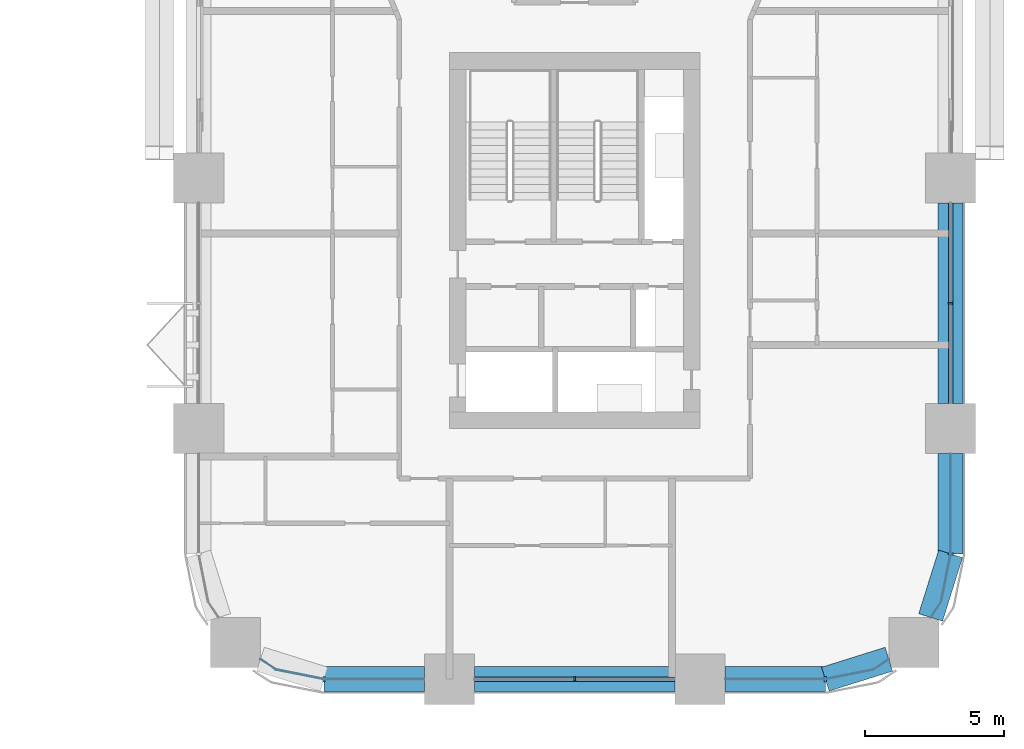
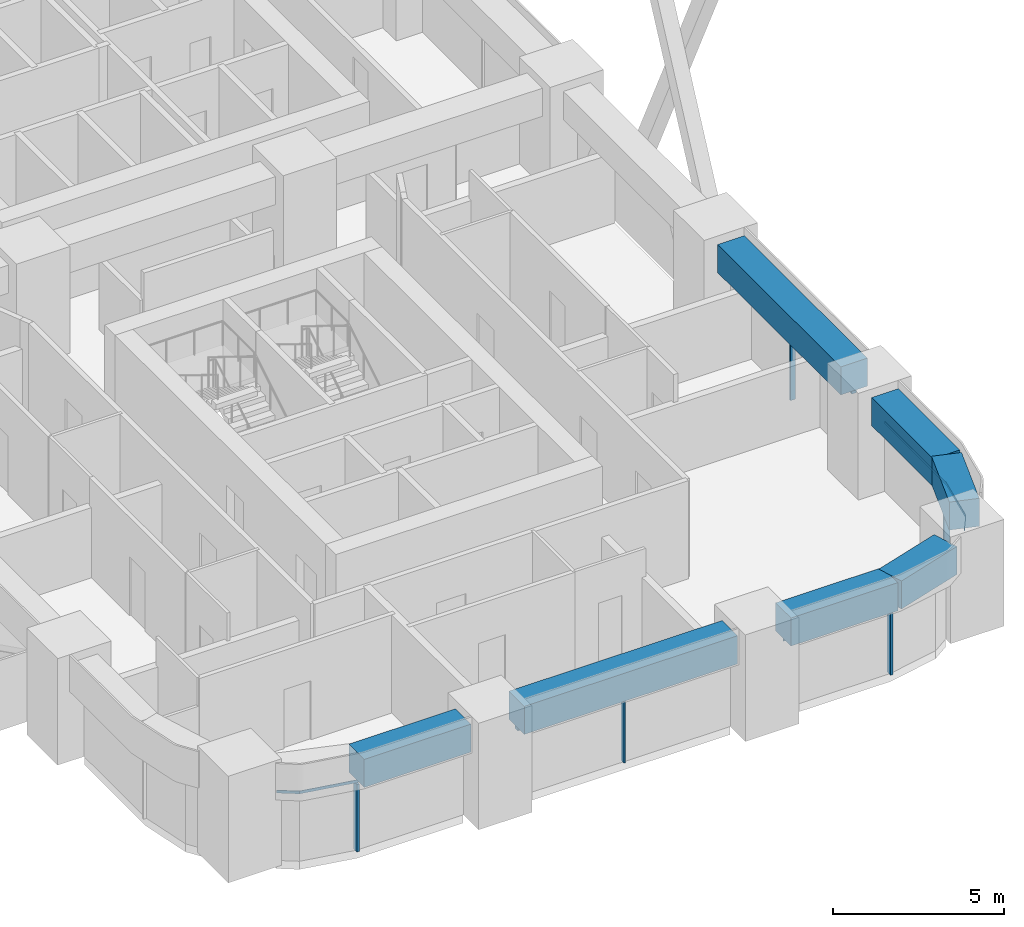
# One storey, part 4 of 19: 10 members, 7 beams, 5 elements without a shape of their own.
"""IFC4 building model written with IfcOpenShell, lengths in metres."""

from ifc_helpers import new_model, si_unit, direction, frame, origin, origin_2d, place, context, subcontext, project, spatial, polyline, rectangle, outline, extrude, material, material_profile, profile_set, type_object, element, aggregate, save


model = new_model("IFC4")

# Units and contexts
model_context = context("Model", 3, precision=1e-05, world=origin(), true_north=direction((0.0, 1.0)))
body_context = subcontext(model_context, "Body", "Model", "MODEL_VIEW")
ifc_project = project(units=[si_unit("LENGTHUNIT", "METRE"), si_unit("AREAUNIT", "SQUARE_METRE"), si_unit("VOLUMEUNIT", "CUBIC_METRE"), si_unit("PLANEANGLEUNIT", "RADIAN"), si_unit("MASSUNIT", "GRAM", prefix="KILO")], contexts=[model_context])

# Site, building, storey
site_placement = place(None, origin())
site = spatial("IfcSite", under=ifc_project, at=site_placement, CompositionType="ELEMENT")
building_placement = place(site_placement, origin())
building = spatial("IfcBuilding", under=site, at=building_placement, Name="Tessera Arch", CompositionType="ELEMENT")
storey_placement = place(building_placement, frame((0.0, 0.0, 108.199951171875)))
storey = spatial("IfcBuildingStorey", under=building, at=storey_placement, Name="L25", CompositionType="ELEMENT", Elevation=108.199951171875)

# Curtain wall, member
ifc_material_1 = material(Name="CW1 curtain wall")
curtain_wall_type_1 = type_object("IfcCurtainWallType", Name="CW1 curtain wall", PredefinedType="NOTDEFINED", material=ifc_material_1)
curtain_wall_1_placement = place(storey_placement, origin())
curtain_wall_1 = element("IfcCurtainWall", 1, at=curtain_wall_1_placement, inside=storey, type_object=curtain_wall_type_1, Name="CW1 curtain wall S0.27/1 L25", PredefinedType="NOTDEFINED")
ifc_material_2 = material(Name="Anodised aluminium pale metal", Category="aluminium")
ifc_material_profile_1 = material_profile(ifc_material_2, rectangle(XDim=0.159912109375, YDim=0.06005859375, at=origin_2d()), Name="AL 60x160")
ifc_profile_set_1 = profile_set([ifc_material_profile_1], Name="Anodised aluminium pale metal")
member_type_1 = type_object("IfcMemberType", Name="CW1 mullion", PredefinedType="MULLION", material=ifc_profile_set_1)
member_1_placement = place(storey_placement, frame((40.5, 0.0, 0.0), z_axis=(0.0, 0.0, 1.0), x_axis=(0.0, 1.0, 0.0)))
member_1 = element("IfcMember", 2, at=member_1_placement, type_object=member_type_1, Name="CW1 mullion S0.27/1 1", PredefinedType="MULLION", context=body_context, shape_type="SweptSolid", body=[
    extrude(rectangle(XDim=0.159912109375, YDim=0.06005859375, at=origin_2d()), origin(), (0.0, 0.0, 1.0), 2.400146484375),
])

curtain_wall_2_placement = place(storey_placement, origin())
curtain_wall_2 = element("IfcCurtainWall", 3, at=curtain_wall_2_placement, inside=storey, type_object=curtain_wall_type_1, Name="CW1 curtain wall E54.0/1 L25", PredefinedType="NOTDEFINED")
member_2_placement = place(storey_placement, frame((54.0, 13.5, 0.0), z_axis=(0.0, 0.0, 1.0), x_axis=(-1.0, 0.0, 0.0)))
member_2 = element("IfcMember", 4, at=member_2_placement, type_object=member_type_1, Name="CW1 mullion E54.0/1 1", PredefinedType="MULLION", context=body_context, shape_type="SweptSolid", body=[
    extrude(rectangle(XDim=0.159912109375, YDim=0.06005859375, at=origin_2d()), origin(), (0.0, 0.0, 1.0), 2.400146484375),
])

# Member
ifc_material_3 = material(Name="Anodised aluminium pale metal", Category="aluminium")
ifc_material_profile_2 = material_profile(ifc_material_3, rectangle(XDim=0.159912109375, YDim=0.10009765625, at=origin_2d()), Name="AL 160x100")
ifc_profile_set_2 = profile_set([ifc_material_profile_2], Name="Anodised aluminium pale metal")
member_type_2 = type_object("IfcMemberType", Name="CW1 transom", PredefinedType="USERDEFINED", material=ifc_profile_set_2)
member_3_placement = place(storey_placement, frame((36.89990234375, 0.0, 2.449951171875), z_axis=(1.0, 0.0, 0.0), x_axis=(0.0, 1.0, 0.0)))
member_3 = element("IfcMember", 5, at=member_3_placement, type_object=member_type_2, Name="CW1 transom S0.27/1 1.1", ObjectType="TRANSOM", PredefinedType="USERDEFINED", context=body_context, shape_type="SweptSolid", body=[
    extrude(rectangle(XDim=0.159912109375, YDim=0.10009765625, at=origin_2d()), origin(), (0.0, 0.0, 1.0), 7.2001953125),
])

aggregate(curtain_wall_1, [member_1, member_3])

member_4_placement = place(storey_placement, frame((54.0, 9.89990234375, 2.449951171875), z_axis=(0.0, 1.0, 0.0), x_axis=(-1.0, 0.0, 0.0)))
member_4 = element("IfcMember", 6, at=member_4_placement, type_object=member_type_2, Name="CW1 transom E54.0/1 1.1", ObjectType="TRANSOM", PredefinedType="USERDEFINED", context=body_context, shape_type="SweptSolid", body=[
    extrude(rectangle(XDim=0.159912109375, YDim=0.10009765625, at=origin_2d()), origin(), (0.0, 0.0, 1.0), 7.2001953125),
])

aggregate(curtain_wall_2, [member_2, member_4])

# Curtain wall, member
ifc_material_4 = material(Name="CW2 curtain wall")
curtain_wall_type_2 = type_object("IfcCurtainWallType", Name="CW2 curtain wall", PredefinedType="NOTDEFINED", material=ifc_material_4)
curtain_wall_3_placement = place(storey_placement, origin())
curtain_wall_3 = element("IfcCurtainWall", 7, at=curtain_wall_3_placement, inside=storey, type_object=curtain_wall_type_2, Name="CW2 curtain wall S0.27/0 L25", PredefinedType="NOTDEFINED")
ifc_material_5 = material(Name="Anodised aluminium pale metal", Category="aluminium")
ifc_material_profile_3 = material_profile(ifc_material_5, rectangle(XDim=0.199951171875, YDim=0.080078125, at=origin_2d()), Name="AL 80x200")
ifc_profile_set_3 = profile_set([ifc_material_profile_3], Name="Anodised aluminium pale metal")
member_type_3 = type_object("IfcMemberType", Name="CW2 mullion", PredefinedType="MULLION", material=ifc_profile_set_3)
member_5_placement = place(storey_placement, frame((31.5, 0.0, 0.0), z_axis=(0.0, 0.0, 1.0), x_axis=(0.0, 1.0, 0.0)))
member_5 = element("IfcMember", 8, at=member_5_placement, type_object=member_type_3, Name="CW2 mullion S0.27/0 1", PredefinedType="MULLION", context=body_context, shape_type="SweptSolid", body=[
    extrude(rectangle(XDim=0.199951171875, YDim=0.080078125, at=origin_2d()), origin(), (0.0, 0.0, 1.0), 2.400146484375),
])

curtain_wall_4_placement = place(storey_placement, origin())
curtain_wall_4 = element("IfcCurtainWall", 9, at=curtain_wall_4_placement, inside=storey, type_object=curtain_wall_type_2, Name="CW2 curtain wall S0.27/2 L25", PredefinedType="NOTDEFINED")
member_6_placement = place(storey_placement, frame((49.5, 0.0, 0.0), z_axis=(0.0, 0.0, 1.0), x_axis=(0.0, 1.0, 0.0)))
member_6 = element("IfcMember", 10, at=member_6_placement, type_object=member_type_3, Name="CW2 mullion S0.27/2 1", PredefinedType="MULLION", context=body_context, shape_type="SweptSolid", body=[
    extrude(rectangle(XDim=0.199951171875, YDim=0.080078125, at=origin_2d()), origin(), (0.0, 0.0, 1.0), 2.400146484375),
])

curtain_wall_5_placement = place(storey_placement, origin())
curtain_wall_5 = element("IfcCurtainWall", 11, at=curtain_wall_5_placement, inside=storey, type_object=curtain_wall_type_2, Name="CW2 curtain wall E54.0/0 L25", PredefinedType="NOTDEFINED")
member_7_placement = place(storey_placement, frame((54.0, 4.5, 0.0), z_axis=(0.0, 0.0, 1.0), x_axis=(-1.0, 0.0, 0.0)))
member_7 = element("IfcMember", 12, at=member_7_placement, type_object=member_type_3, Name="CW2 mullion E54.0/0 1", PredefinedType="MULLION", context=body_context, shape_type="SweptSolid", body=[
    extrude(rectangle(XDim=0.199951171875, YDim=0.080078125, at=origin_2d()), origin(), (0.0, 0.0, 1.0), 2.400146484375),
])

# Member
ifc_material_6 = material(Name="Anodised aluminium pale metal", Category="aluminium")
ifc_material_profile_4 = material_profile(ifc_material_6, rectangle(XDim=0.199951171875, YDim=0.10009765625, at=origin_2d()), Name="AL 200x100")
ifc_profile_set_4 = profile_set([ifc_material_profile_4], Name="Anodised aluminium pale metal")
member_type_4 = type_object("IfcMemberType", Name="CW2 transom", PredefinedType="USERDEFINED", material=ifc_profile_set_4)
member_8_placement = place(storey_placement, frame((0.0, 0.0, 2.400146484375)))
member_8 = element("IfcMember", 13, at=member_8_placement, type_object=member_type_4, Name="CW2 transom S0.27/0 1", ObjectType="TRANSOM", PredefinedType="USERDEFINED", context=body_context, shape_type="SweptSolid", body=[
    extrude(outline(polyline([(29.78173828125, 0.351806640625), (29.2236328125, 0.72509765625), (29.21240234375, 0.70849609375), (29.77392578125, 0.3330078125), (31.4990234375, -0.010009765625), (35.10009765625, -0.010009765625), (35.10009765625, 0.010009765625), (31.5009765625, 0.010009765625), (29.78173828125, 0.351806640625)])), origin(), (0.0, 0.0, 1.0), 0.099853515625),
])

aggregate(curtain_wall_3, [member_5, member_8])

member_9_placement = place(storey_placement, frame((0.0, 0.0, 2.400146484375)))
member_9 = element("IfcMember", 14, at=member_9_placement, type_object=member_type_4, Name="CW2 transom S0.27/2 1", ObjectType="TRANSOM", PredefinedType="USERDEFINED", context=body_context, shape_type="SweptSolid", body=[
    extrude(outline(polyline([(49.4990234375, 0.010009765625), (45.89990234375, 0.010009765625), (45.89990234375, -0.010009765625), (49.5009765625, -0.010009765625), (51.22607421875, 0.3330078125), (51.78759765625, 0.70849609375), (51.7763671875, 0.72509765625), (51.21826171875, 0.351806640625), (49.4990234375, 0.010009765625)])), origin(), (0.0, 0.0, 1.0), 0.099853515625),
])

aggregate(curtain_wall_4, [member_6, member_9])

member_10_placement = place(storey_placement, frame((0.0, 0.0, 2.400146484375)))
member_10 = element("IfcMember", 15, at=member_10_placement, type_object=member_type_4, Name="CW2 transom E54.0/0 1", ObjectType="TRANSOM", PredefinedType="USERDEFINED", context=body_context, shape_type="SweptSolid", body=[
    extrude(outline(polyline([(53.648193359375, 2.78173828125), (53.27490234375, 2.2236328125), (53.29150390625, 2.21240234375), (53.6669921875, 2.77392578125), (54.010009765625, 4.4990234375), (54.010009765625, 8.10009765625), (53.989990234375, 8.10009765625), (53.989990234375, 4.5009765625), (53.648193359375, 2.78173828125)])), origin(), (0.0, 0.0, 1.0), 0.099853515625),
])

aggregate(curtain_wall_5, [member_7, member_10])

# Beams
ifc_material_7 = material(Name="Concrete C80/95", Category="concrete")
ifc_material_profile_5 = material_profile(ifc_material_7, rectangle(XDim=0.89990234375, YDim=1.0, at=origin_2d()), Name="RC spandrel beam 900 x 1000 Concrete C80/95")
ifc_profile_set_5 = profile_set([ifc_material_profile_5], Name="Concrete C80/95")
beam_type = type_object("IfcBeamType", Name="RC spandrel beam 900 x 1000 Concrete C80/95", PredefinedType="BEAM", material=ifc_profile_set_5)
beam_1_placement = place(storey_placement, frame((31.5, 0.0, 3.0), z_axis=(1.0, 0.0, 0.0), x_axis=(0.0, 1.0, 0.0)))
element("IfcBeam", 16, at=beam_1_placement, inside=storey, type_object=beam_type, Name="Spandrel beam L25 S0.27/0.2", PredefinedType="BEAM", context=body_context, shape_type="SweptSolid", body=[
    extrude(rectangle(XDim=0.89990234375, YDim=1.0, at=origin_2d()), origin(), (0.0, 0.0, 1.0), 3.60009765625),
])
beam_2_placement = place(storey_placement, frame((36.89990234375, 0.0, 3.0), z_axis=(1.0, 0.0, 0.0), x_axis=(0.0, 1.0, 0.0)))
element("IfcBeam", 17, at=beam_2_placement, inside=storey, type_object=beam_type, Name="Spandrel beam L25 S0.27/1", PredefinedType="BEAM", context=body_context, shape_type="SweptSolid", body=[
    extrude(rectangle(XDim=0.89990234375, YDim=1.0, at=origin_2d()), origin(), (0.0, 0.0, 1.0), 7.2001953125),
])
beam_3_placement = place(storey_placement, frame((45.89990234375, 0.0, 3.0), z_axis=(1.0, 0.0, 0.0), x_axis=(0.0, 1.0, 0.0)))
element("IfcBeam", 18, at=beam_3_placement, inside=storey, type_object=beam_type, Name="Spandrel beam L25 S0.27/2.1", PredefinedType="BEAM", context=body_context, shape_type="SweptSolid", body=[
    extrude(rectangle(XDim=0.89990234375, YDim=1.0, at=origin_2d()), origin(), (0.0, 0.0, 1.0), 3.60009765625),
])
for number, where, z_axis, x_axis, name in (
    (19, (49.5, 0.0, 3.0), (0.954041251279, 0.299675309057, 0.0), (-0.299675309057, 0.954041251279, 0.0), "Spandrel beam L25 S0.27/2.2"),
    (20, (53.283203125, 2.218017578125, 3.0), (0.299675309057, 0.954041251279, 0.0), (-0.954041251279, 0.299675309057, 0.0), "Spandrel beam L25 E54.0/0.1"),
):
    element("IfcBeam", number, at=place(storey_placement, frame(where, z_axis=z_axis, x_axis=x_axis)), inside=storey, type_object=beam_type, Name=name, PredefinedType="BEAM", context=body_context, shape_type="SweptSolid", body=[
        extrude(rectangle(XDim=0.89990234375, YDim=1.0, at=origin_2d()), origin(), (0.0, 0.0, 1.0), 2.391845703125),
    ])
beam_4_placement = place(storey_placement, frame((54.0, 4.5, 3.0), z_axis=(0.0, 1.0, 0.0), x_axis=(-1.0, 0.0, 0.0)))
element("IfcBeam", 21, at=beam_4_placement, inside=storey, type_object=beam_type, Name="Spandrel beam L25 E54.0/0.2", PredefinedType="BEAM", context=body_context, shape_type="SweptSolid", body=[
    extrude(rectangle(XDim=0.89990234375, YDim=1.0, at=origin_2d()), origin(), (0.0, 0.0, 1.0), 3.60009765625),
])
beam_5_placement = place(storey_placement, frame((54.0, 9.89990234375, 3.0), z_axis=(0.0, 1.0, 0.0), x_axis=(-1.0, 0.0, 0.0)))
element("IfcBeam", 22, at=beam_5_placement, inside=storey, type_object=beam_type, Name="Spandrel beam L25 E54.0/1", PredefinedType="BEAM", context=body_context, shape_type="SweptSolid", body=[
    extrude(rectangle(XDim=0.89990234375, YDim=1.0, at=origin_2d()), origin(), (0.0, 0.0, 1.0), 7.2001953125),
])

save(model, "model.ifc")
